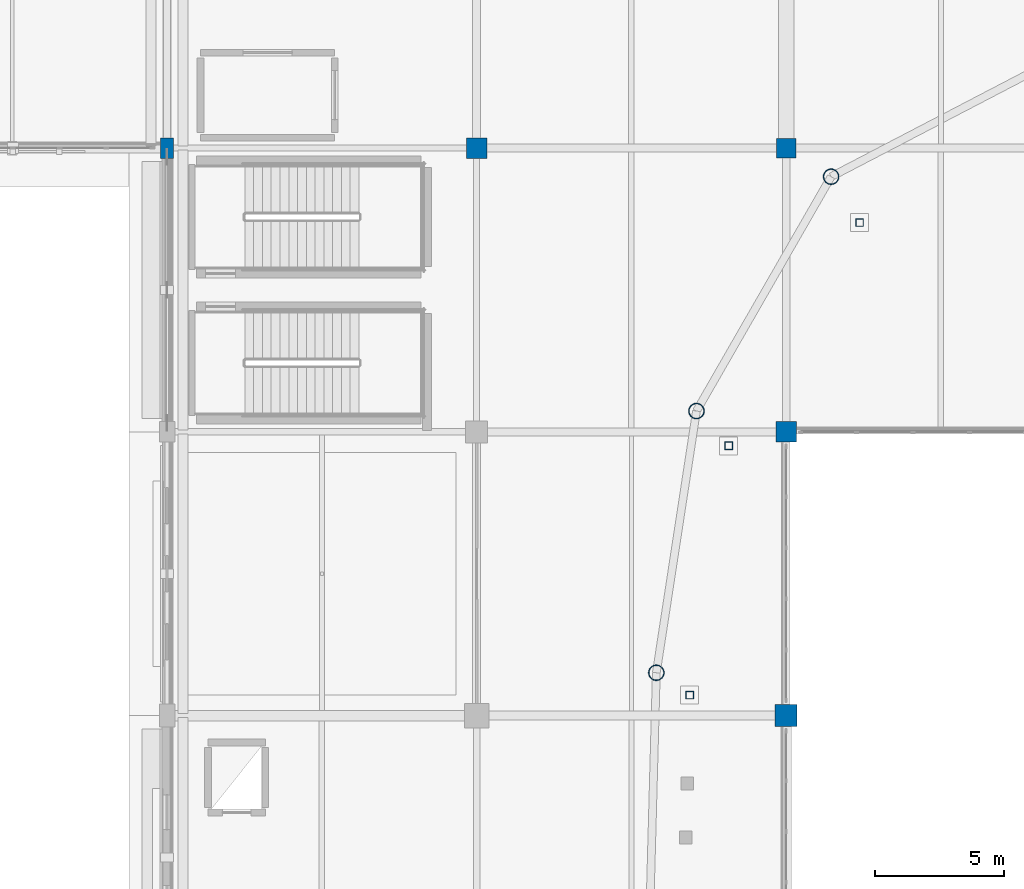
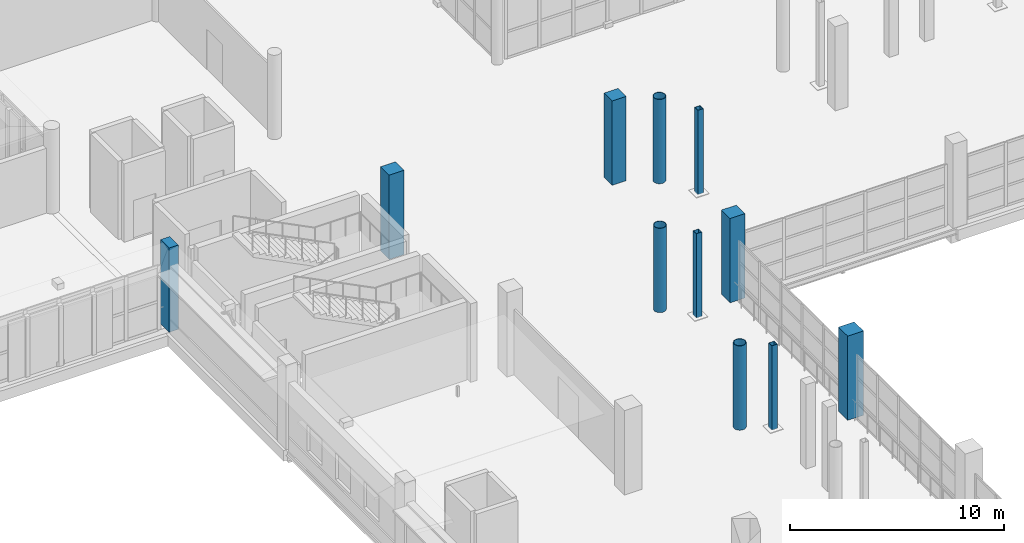
# One storey, part 9 of 143: 11 columns.
"""IFC4 building model written with IfcOpenShell, lengths in metres."""

from ifc_helpers import new_model, si_unit, direction, frame, origin, origin_2d, place, context, subcontext, project, spatial, rectangle, hollow_rectangle, hollow_circle, extrude, material, material_profile, profile_set, type_object, element, save


model = new_model("IFC4")

# Units and contexts
model_context = context("Model", 3, precision=1e-05, world=origin(), true_north=direction((0.0, 1.0)))
body_context = subcontext(model_context, "Body", "Model", "MODEL_VIEW")
ifc_project = project(units=[si_unit("LENGTHUNIT", "METRE"), si_unit("AREAUNIT", "SQUARE_METRE"), si_unit("VOLUMEUNIT", "CUBIC_METRE"), si_unit("PLANEANGLEUNIT", "RADIAN"), si_unit("MASSUNIT", "GRAM", prefix="KILO")], contexts=[model_context])

# Site, building, storey
site_placement = place(None, origin())
site = spatial("IfcSite", under=ifc_project, at=site_placement, CompositionType="ELEMENT")
building_placement = place(site_placement, origin())
building = spatial("IfcBuilding", under=site, at=building_placement, Name="Luwafu Chhajja Arena", CompositionType="ELEMENT")
storey_placement = place(building_placement, frame((0.0, 0.0, 5.39990234375)))
storey = spatial("IfcBuildingStorey", under=building, at=storey_placement, Name="L01", CompositionType="ELEMENT", Elevation=5.39990234375)

# Columns
ifc_material_1 = material(Name="Concrete C35/45", Category="concrete")
ifc_material_profile_1 = material_profile(ifc_material_1, rectangle(XDim=0.5, YDim=0.800048828125, at=origin_2d()), Name="RC 500x800")
ifc_profile_set_1 = profile_set([ifc_material_profile_1], Name="Concrete C35/45")
column_type_1 = type_object("IfcColumnType", Name="BOH Frame Column RC 500x800", PredefinedType="COLUMN", material=ifc_profile_set_1)
column_1_placement = place(storey_placement, frame((34.0, 88.0, 0.0), z_axis=(0.0, 0.0, 1.0), x_axis=(1.0, 0.0, 0.0)))
element("IfcColumn", 1, at=column_1_placement, inside=storey, type_object=column_type_1, Name="L01 Grid Column 4/J", PredefinedType="COLUMN", context=body_context, shape_type="SweptSolid", body=[
    extrude(rectangle(XDim=0.5, YDim=0.800048828125, at=origin_2d()), origin(), (0.0, 0.0, 1.0), 4.800048828125),
])
ifc_material_profile_2 = material_profile(ifc_material_1, rectangle(XDim=0.85009765625, YDim=0.85009765625, at=origin_2d()), Name="RC 850x850")
ifc_profile_set_2 = profile_set([ifc_material_profile_2], Name="Concrete C35/45")
column_type_2 = type_object("IfcColumnType", Name="Concourse Heavy Column RC 850", PredefinedType="COLUMN", material=ifc_profile_set_2)
column_2_placement = place(storey_placement, frame((58.0, 66.0, 0.0), z_axis=(0.0, 0.0, 1.0), x_axis=(1.0, 0.0, 0.0)))
element("IfcColumn", 2, at=column_2_placement, inside=storey, type_object=column_type_2, Name="L01 Grid Column 6/G", PredefinedType="COLUMN", context=body_context, shape_type="SweptSolid", body=[
    extrude(rectangle(XDim=0.85009765625, YDim=0.85009765625, at=origin_2d()), origin(), (0.0, 0.0, 1.0), 4.800048828125),
])
ifc_material_profile_3 = material_profile(ifc_material_1, rectangle(XDim=0.800048828125, YDim=0.800048828125, at=origin_2d()), Name="RC 800x800")
ifc_profile_set_3 = profile_set([ifc_material_profile_3], Name="Concrete C35/45")
column_type_3 = type_object("IfcColumnType", Name="Concourse Standard Column RC 800", PredefinedType="COLUMN", material=ifc_profile_set_3)
for number, where, z_axis, x_axis, name in (
    (3, (46.0, 88.0, 0.0), (0.0, 0.0, 1.0), (1.0, 0.0, 0.0), "L01 Grid Column 5/J"),
    (4, (58.0, 77.0, 0.0), (0.0, 0.0, 1.0), (1.0, 0.0, 0.0), "L01 Grid Column 6/H"),
):
    element("IfcColumn", number, at=place(storey_placement, frame(where, z_axis=z_axis, x_axis=x_axis)), inside=storey, type_object=column_type_3, Name=name, PredefinedType="COLUMN", context=body_context, shape_type="SweptSolid", body=[
        extrude(rectangle(XDim=0.800048828125, YDim=0.800048828125, at=origin_2d()), origin(), (0.0, 0.0, 1.0), 4.800048828125),
    ])
ifc_material_profile_4 = material_profile(ifc_material_1, rectangle(XDim=0.75, YDim=0.75, at=origin_2d()), Name="RC 750x750")
ifc_profile_set_4 = profile_set([ifc_material_profile_4], Name="Concrete C35/45")
column_type_4 = type_object("IfcColumnType", Name="Hospitality Ring Column RC 750", PredefinedType="COLUMN", material=ifc_profile_set_4)
column_3_placement = place(storey_placement, frame((58.0, 88.0, 0.0), z_axis=(0.0, 0.0, 1.0), x_axis=(1.0, 0.0, 0.0)))
element("IfcColumn", 5, at=column_3_placement, inside=storey, type_object=column_type_4, Name="L01 Grid Column 6/J", PredefinedType="COLUMN", context=body_context, shape_type="SweptSolid", body=[
    extrude(rectangle(XDim=0.75, YDim=0.75, at=origin_2d()), origin(), (0.0, 0.0, 1.0), 4.800048828125),
])
ifc_material_2 = material(Name="Steel S355", Category="steel")
ifc_material_profile_5 = material_profile(ifc_material_2, hollow_circle(Radius=0.304931640625, WallThickness=0.02490234375, at=origin_2d()), Name="CHS 610x25")
ifc_profile_set_5 = profile_set([ifc_material_profile_5], Name="Steel S355")
column_type_5 = type_object("IfcColumnType", Name="Steel Bowl Drum Column CHS 610", PredefinedType="COLUMN", material=ifc_profile_set_5)
for number, where, z_axis, x_axis, name in (
    (6, (59.743896484375, 86.890869140625, 0.0), (0.0, 0.0, 1.0), (1.0, 0.0, 0.0), "L01 Bowl Drum Column D13"),
    (7, (54.52392578125, 77.805908203125, 0.0), (0.0, 0.0, 1.0), (1.0, 0.0, 0.0), "L01 Bowl Drum Column D14"),
    (8, (52.968017578125, 67.6611328125, 0.0), (0.0, 0.0, 1.0), (1.0, 0.0, 0.0), "L01 Bowl Drum Column D15"),
):
    element("IfcColumn", number, at=place(storey_placement, frame(where, z_axis=z_axis, x_axis=x_axis)), inside=storey, type_object=column_type_5, Name=name, PredefinedType="COLUMN", context=body_context, shape_type="SweptSolid", body=[
        extrude(hollow_circle(Radius=0.304931640625, WallThickness=0.02490234375, at=origin_2d()), origin(), (0.0, 0.0, 1.0), 4.800048828125),
    ])
ifc_material_profile_6 = material_profile(ifc_material_2, hollow_rectangle(XDim=0.300048828125, YDim=0.300048828125, WallThickness=0.01611328125, at=origin_2d()), Name="SHS 300x300x16")
ifc_profile_set_6 = profile_set([ifc_material_profile_6], Name="Steel S355")
column_type_6 = type_object("IfcColumnType", Name="Steel Gallery Post SHS 300", PredefinedType="COLUMN", material=ifc_profile_set_6)
for number, where, z_axis, x_axis, name in (
    (9, (60.84619140625, 85.1103515625, 0.0), (0.0, 0.0, 1.0), (1.0, 0.0, 0.0), "L01 Upper Bowl Raker Column UO13"),
    (10, (55.772705078125, 76.4580078125, 0.0), (0.0, 0.0, 1.0), (1.0, 0.0, 0.0), "L01 Upper Bowl Raker Column UO14"),
    (11, (54.260498046875, 66.79638671875, 0.0), (0.0, 0.0, 1.0), (1.0, 0.0, 0.0), "L01 Upper Bowl Raker Column UO15"),
):
    element("IfcColumn", number, at=place(storey_placement, frame(where, z_axis=z_axis, x_axis=x_axis)), inside=storey, type_object=column_type_6, Name=name, PredefinedType="COLUMN", context=body_context, shape_type="SweptSolid", body=[
        extrude(hollow_rectangle(XDim=0.300048828125, YDim=0.300048828125, WallThickness=0.01611328125, at=origin_2d()), origin(), (0.0, 0.0, 1.0), 4.800048828125),
    ])

save(model, "model.ifc")
